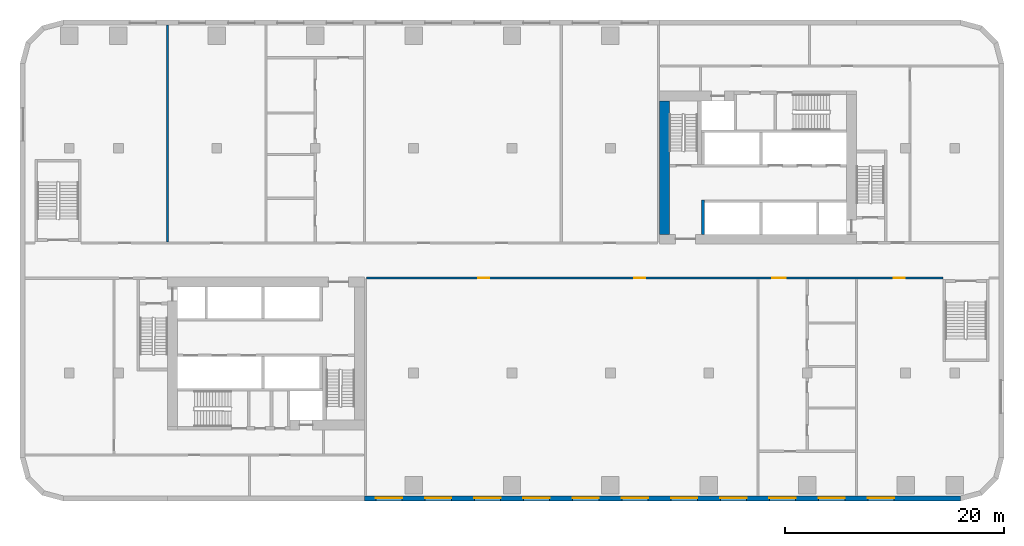
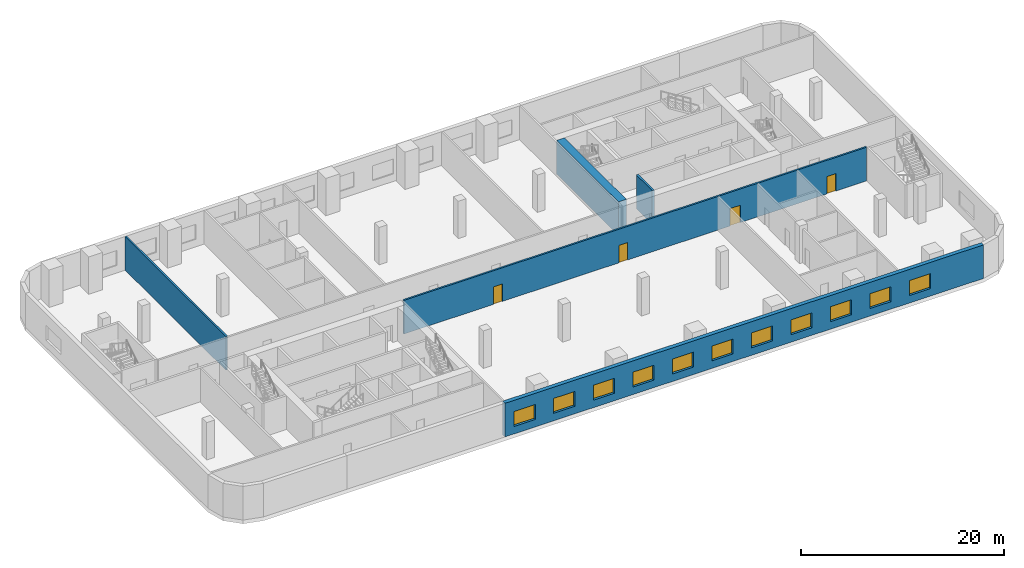
# One storey, part 4 of 15: 11 windows, 5 walls, 4 doors, 15 openings.
"""IFC4 building model written with IfcOpenShell, lengths in metres."""

from ifc_helpers import new_model, si_unit, direction, frame, frame_2d, origin, place, context, subcontext, project, spatial, rectangle, extrude, material, layer, layer_set, type_object, element, fill, save


model = new_model("IFC4")

# Units and contexts
model_context = context("Model", 3, precision=1e-05, world=origin(), true_north=direction((0.0, 1.0)))
body_context = subcontext(model_context, "Body", "Model", "MODEL_VIEW")
ifc_project = project(units=[si_unit("LENGTHUNIT", "METRE"), si_unit("AREAUNIT", "SQUARE_METRE"), si_unit("VOLUMEUNIT", "CUBIC_METRE"), si_unit("PLANEANGLEUNIT", "RADIAN"), si_unit("MASSUNIT", "GRAM", prefix="KILO")], contexts=[model_context])

# Site, building, storey
site_placement = place(None, origin())
site = spatial("IfcSite", under=ifc_project, at=site_placement, CompositionType="ELEMENT")
building_placement = place(site_placement, origin())
building = spatial("IfcBuilding", under=site, at=building_placement, Name="Kajstack Hotel Tower", CompositionType="ELEMENT")
storey_placement = place(building_placement, frame((0.0, 0.0, 29.0)))
storey = spatial("IfcBuildingStorey", under=building, at=storey_placement, Name="L04", CompositionType="ELEMENT", Elevation=29.0)

# Wall
ifc_material_1 = material(Name="Concrete C60/75", Category="concrete")
ifc_layer_1 = layer(ifc_material_1, 0.89990234375)
ifc_layer_set_1 = layer_set([ifc_layer_1], Name="Core wall 900")
wall_type_1 = type_object("IfcWallType", Name="Core wall 900", PredefinedType="SHEAR", material=ifc_layer_set_1)
wall_1_placement = place(storey_placement, frame((13.949951171875, 2.39990234375, 0.0), z_axis=(0.0, 0.0, 1.0), x_axis=(0.0, 1.0, 0.0)))
element("IfcWall", 1, at=wall_1_placement, inside=storey, type_object=wall_type_1, Name="Core wall E RE", PredefinedType="SHEAR", context=body_context, shape_type="SweptSolid", body=[
    extrude(rectangle(XDim=12.2001953125, YDim=0.89990234375, at=frame_2d((6.10009765625, 0.0))), origin(), (0.0, 0.0, 1.0), 4.050048828125),
])

# Wall, openings, windows
ifc_material_2 = material(Name="Terracotta-faced brick masonry", Category="masonry")
ifc_layer_2 = layer(ifc_material_2, 0.449951171875)
ifc_layer_set_2 = layer_set([ifc_layer_2], Name="EW-TERRA")
wall_type_2 = type_object("IfcWallType", Name="EW-TERRA", PredefinedType="SOLIDWALL", material=ifc_layer_set_2)
wall_2_placement = place(storey_placement, frame((-13.5, -21.77490234375, 0.0), z_axis=(0.0, 0.0, 1.0), x_axis=(1.0, 0.0, 0.0)))
wall_2 = element("IfcWall", 2, at=wall_2_placement, inside=storey, type_object=wall_type_2, Name="E-wall-L04-03-02", PredefinedType="SOLIDWALL", context=body_context, shape_type="SweptSolid", body=[
    extrude(rectangle(XDim=54.5, YDim=0.449951171875, at=frame_2d((27.25, 0.0))), origin(), (0.0, 0.0, 1.0), 4.050048828125),
])
opening_1_placement = place(wall_2_placement, frame((1.050048828125, 0.0, 0.89990234375)))
opening_1 = element("IfcOpeningElement", 3, at=opening_1_placement, cuts=wall_2, Name="Opening W4", PredefinedType="OPENING", context=body_context, shape_type="SweptSolid", body=[
    extrude(rectangle(XDim=2.39990234375, YDim=1.800048828125, at=frame_2d((1.199951171875, 0.89990234375))), frame((0.0, 0.23486328125, 0.0), z_axis=(0.0, -1.0, 0.0), x_axis=(1.0, 0.0, 0.0)), (0.0, 0.0, 1.0), 0.469970703125),
])
opening_2_placement = place(wall_2_placement, frame((5.550048828125, 0.0, 0.89990234375)))
opening_2 = element("IfcOpeningElement", 4, at=opening_2_placement, cuts=wall_2, Name="Opening W4", PredefinedType="OPENING", context=body_context, shape_type="SweptSolid", body=[
    extrude(rectangle(XDim=2.39990234375, YDim=1.800048828125, at=frame_2d((1.199951171875, 0.89990234375))), frame((0.0, 0.23486328125, 0.0), z_axis=(0.0, -1.0, 0.0), x_axis=(1.0, 0.0, 0.0)), (0.0, 0.0, 1.0), 0.469970703125),
])
opening_3_placement = place(wall_2_placement, frame((10.050048828125, 0.0, 0.89990234375)))
opening_3 = element("IfcOpeningElement", 5, at=opening_3_placement, cuts=wall_2, Name="Opening W4", PredefinedType="OPENING", context=body_context, shape_type="SweptSolid", body=[
    extrude(rectangle(XDim=2.39990234375, YDim=1.800048828125, at=frame_2d((1.199951171875, 0.89990234375))), frame((0.0, 0.23486328125, 0.0), z_axis=(0.0, -1.0, 0.0), x_axis=(1.0, 0.0, 0.0)), (0.0, 0.0, 1.0), 0.469970703125),
])
opening_4_placement = place(wall_2_placement, frame((14.550048828125, 0.0, 0.89990234375)))
opening_4 = element("IfcOpeningElement", 6, at=opening_4_placement, cuts=wall_2, Name="Opening W4", PredefinedType="OPENING", context=body_context, shape_type="SweptSolid", body=[
    extrude(rectangle(XDim=2.39990234375, YDim=1.800048828125, at=frame_2d((1.199951171875, 0.89990234375))), frame((0.0, 0.23486328125, 0.0), z_axis=(0.0, -1.0, 0.0), x_axis=(1.0, 0.0, 0.0)), (0.0, 0.0, 1.0), 0.469970703125),
])
opening_5_placement = place(wall_2_placement, frame((19.050048828125, 0.0, 0.89990234375)))
opening_5 = element("IfcOpeningElement", 7, at=opening_5_placement, cuts=wall_2, Name="Opening W4", PredefinedType="OPENING", context=body_context, shape_type="SweptSolid", body=[
    extrude(rectangle(XDim=2.39990234375, YDim=1.800048828125, at=frame_2d((1.199951171875, 0.89990234375))), frame((0.0, 0.23486328125, 0.0), z_axis=(0.0, -1.0, 0.0), x_axis=(1.0, 0.0, 0.0)), (0.0, 0.0, 1.0), 0.469970703125),
])
opening_6_placement = place(wall_2_placement, frame((23.550048828125, 0.0, 0.89990234375)))
opening_6 = element("IfcOpeningElement", 8, at=opening_6_placement, cuts=wall_2, Name="Opening W4", PredefinedType="OPENING", context=body_context, shape_type="SweptSolid", body=[
    extrude(rectangle(XDim=2.39990234375, YDim=1.800048828125, at=frame_2d((1.199951171875, 0.89990234375))), frame((0.0, 0.23486328125, 0.0), z_axis=(0.0, -1.0, 0.0), x_axis=(1.0, 0.0, 0.0)), (0.0, 0.0, 1.0), 0.469970703125),
])
opening_7_placement = place(wall_2_placement, frame((28.050048828125, 0.0, 0.89990234375)))
opening_7 = element("IfcOpeningElement", 9, at=opening_7_placement, cuts=wall_2, Name="Opening W4", PredefinedType="OPENING", context=body_context, shape_type="SweptSolid", body=[
    extrude(rectangle(XDim=2.39990234375, YDim=1.800048828125, at=frame_2d((1.199951171875, 0.89990234375))), frame((0.0, 0.23486328125, 0.0), z_axis=(0.0, -1.0, 0.0), x_axis=(1.0, 0.0, 0.0)), (0.0, 0.0, 1.0), 0.469970703125),
])
opening_8_placement = place(wall_2_placement, frame((32.550048828125, 0.0, 0.89990234375)))
opening_8 = element("IfcOpeningElement", 10, at=opening_8_placement, cuts=wall_2, Name="Opening W4", PredefinedType="OPENING", context=body_context, shape_type="SweptSolid", body=[
    extrude(rectangle(XDim=2.39990234375, YDim=1.800048828125, at=frame_2d((1.199951171875, 0.89990234375))), frame((0.0, 0.23486328125, 0.0), z_axis=(0.0, -1.0, 0.0), x_axis=(1.0, 0.0, 0.0)), (0.0, 0.0, 1.0), 0.469970703125),
])
opening_9_placement = place(wall_2_placement, frame((37.050048828125, 0.0, 0.89990234375)))
opening_9 = element("IfcOpeningElement", 11, at=opening_9_placement, cuts=wall_2, Name="Opening W4", PredefinedType="OPENING", context=body_context, shape_type="SweptSolid", body=[
    extrude(rectangle(XDim=2.39990234375, YDim=1.800048828125, at=frame_2d((1.199951171875, 0.89990234375))), frame((0.0, 0.23486328125, 0.0), z_axis=(0.0, -1.0, 0.0), x_axis=(1.0, 0.0, 0.0)), (0.0, 0.0, 1.0), 0.469970703125),
])
opening_10_placement = place(wall_2_placement, frame((41.550048828125, 0.0, 0.89990234375)))
opening_10 = element("IfcOpeningElement", 12, at=opening_10_placement, cuts=wall_2, Name="Opening W4", PredefinedType="OPENING", context=body_context, shape_type="SweptSolid", body=[
    extrude(rectangle(XDim=2.39990234375, YDim=1.800048828125, at=frame_2d((1.199951171875, 0.89990234375))), frame((0.0, 0.23486328125, 0.0), z_axis=(0.0, -1.0, 0.0), x_axis=(1.0, 0.0, 0.0)), (0.0, 0.0, 1.0), 0.469970703125),
])
opening_11_placement = place(wall_2_placement, frame((46.050048828125, 0.0, 0.89990234375)))
opening_11 = element("IfcOpeningElement", 13, at=opening_11_placement, cuts=wall_2, Name="Opening W4", PredefinedType="OPENING", context=body_context, shape_type="SweptSolid", body=[
    extrude(rectangle(XDim=2.39990234375, YDim=1.800048828125, at=frame_2d((1.199951171875, 0.89990234375))), frame((0.0, 0.23486328125, 0.0), z_axis=(0.0, -1.0, 0.0), x_axis=(1.0, 0.0, 0.0)), (0.0, 0.0, 1.0), 0.469970703125),
])
ifc_material_3 = material(Name="Timber-aluminium window, triple glazed", Category="wood")
window_type = type_object("IfcWindowType", Name="WP1", PartitioningType="SINGLE_PANEL", PredefinedType="WINDOW", material=ifc_material_3)
window_1_placement = place(opening_1_placement, origin())
window_1 = element("IfcWindow", 14, at=window_1_placement, inside=storey, type_object=window_type, Name="Window W4 L04-03", OverallHeight=1.800048828125, OverallWidth=2.39990234375, PartitioningType="SINGLE_PANEL", PredefinedType="WINDOW", context=body_context, shape_type="SweptSolid", body=[
    extrude(rectangle(XDim=2.39990234375, YDim=1.800048828125, at=frame_2d((1.199951171875, 0.89990234375))), frame((0.0, 0.090087890625, 0.0), z_axis=(0.0, -1.0, 0.0), x_axis=(1.0, 0.0, 0.0)), (0.0, 0.0, 1.0), 0.06005859375),
])
fill(opening_1, window_1)
window_2_placement = place(opening_2_placement, origin())
window_2 = element("IfcWindow", 15, at=window_2_placement, inside=storey, type_object=window_type, Name="Window W4 L04-03", OverallHeight=1.800048828125, OverallWidth=2.39990234375, PartitioningType="SINGLE_PANEL", PredefinedType="WINDOW", context=body_context, shape_type="SweptSolid", body=[
    extrude(rectangle(XDim=2.39990234375, YDim=1.800048828125, at=frame_2d((1.199951171875, 0.89990234375))), frame((0.0, 0.090087890625, 0.0), z_axis=(0.0, -1.0, 0.0), x_axis=(1.0, 0.0, 0.0)), (0.0, 0.0, 1.0), 0.06005859375),
])
fill(opening_2, window_2)
window_3_placement = place(opening_3_placement, origin())
window_3 = element("IfcWindow", 16, at=window_3_placement, inside=storey, type_object=window_type, Name="Window W4 L04-03", OverallHeight=1.800048828125, OverallWidth=2.39990234375, PartitioningType="SINGLE_PANEL", PredefinedType="WINDOW", context=body_context, shape_type="SweptSolid", body=[
    extrude(rectangle(XDim=2.39990234375, YDim=1.800048828125, at=frame_2d((1.199951171875, 0.89990234375))), frame((0.0, 0.090087890625, 0.0), z_axis=(0.0, -1.0, 0.0), x_axis=(1.0, 0.0, 0.0)), (0.0, 0.0, 1.0), 0.06005859375),
])
fill(opening_3, window_3)
window_4_placement = place(opening_4_placement, origin())
window_4 = element("IfcWindow", 17, at=window_4_placement, inside=storey, type_object=window_type, Name="Window W4 L04-03", OverallHeight=1.800048828125, OverallWidth=2.39990234375, PartitioningType="SINGLE_PANEL", PredefinedType="WINDOW", context=body_context, shape_type="SweptSolid", body=[
    extrude(rectangle(XDim=2.39990234375, YDim=1.800048828125, at=frame_2d((1.199951171875, 0.89990234375))), frame((0.0, 0.090087890625, 0.0), z_axis=(0.0, -1.0, 0.0), x_axis=(1.0, 0.0, 0.0)), (0.0, 0.0, 1.0), 0.06005859375),
])
fill(opening_4, window_4)
window_5_placement = place(opening_5_placement, origin())
window_5 = element("IfcWindow", 18, at=window_5_placement, inside=storey, type_object=window_type, Name="Window W4 L04-03", OverallHeight=1.800048828125, OverallWidth=2.39990234375, PartitioningType="SINGLE_PANEL", PredefinedType="WINDOW", context=body_context, shape_type="SweptSolid", body=[
    extrude(rectangle(XDim=2.39990234375, YDim=1.800048828125, at=frame_2d((1.199951171875, 0.89990234375))), frame((0.0, 0.090087890625, 0.0), z_axis=(0.0, -1.0, 0.0), x_axis=(1.0, 0.0, 0.0)), (0.0, 0.0, 1.0), 0.06005859375),
])
fill(opening_5, window_5)
window_6_placement = place(opening_6_placement, origin())
window_6 = element("IfcWindow", 19, at=window_6_placement, inside=storey, type_object=window_type, Name="Window W4 L04-03", OverallHeight=1.800048828125, OverallWidth=2.39990234375, PartitioningType="SINGLE_PANEL", PredefinedType="WINDOW", context=body_context, shape_type="SweptSolid", body=[
    extrude(rectangle(XDim=2.39990234375, YDim=1.800048828125, at=frame_2d((1.199951171875, 0.89990234375))), frame((0.0, 0.090087890625, 0.0), z_axis=(0.0, -1.0, 0.0), x_axis=(1.0, 0.0, 0.0)), (0.0, 0.0, 1.0), 0.06005859375),
])
fill(opening_6, window_6)
window_7_placement = place(opening_7_placement, origin())
window_7 = element("IfcWindow", 20, at=window_7_placement, inside=storey, type_object=window_type, Name="Window W4 L04-03", OverallHeight=1.800048828125, OverallWidth=2.39990234375, PartitioningType="SINGLE_PANEL", PredefinedType="WINDOW", context=body_context, shape_type="SweptSolid", body=[
    extrude(rectangle(XDim=2.39990234375, YDim=1.800048828125, at=frame_2d((1.199951171875, 0.89990234375))), frame((0.0, 0.090087890625, 0.0), z_axis=(0.0, -1.0, 0.0), x_axis=(1.0, 0.0, 0.0)), (0.0, 0.0, 1.0), 0.06005859375),
])
fill(opening_7, window_7)
window_8_placement = place(opening_8_placement, origin())
window_8 = element("IfcWindow", 21, at=window_8_placement, inside=storey, type_object=window_type, Name="Window W4 L04-03", OverallHeight=1.800048828125, OverallWidth=2.39990234375, PartitioningType="SINGLE_PANEL", PredefinedType="WINDOW", context=body_context, shape_type="SweptSolid", body=[
    extrude(rectangle(XDim=2.39990234375, YDim=1.800048828125, at=frame_2d((1.199951171875, 0.89990234375))), frame((0.0, 0.090087890625, 0.0), z_axis=(0.0, -1.0, 0.0), x_axis=(1.0, 0.0, 0.0)), (0.0, 0.0, 1.0), 0.06005859375),
])
fill(opening_8, window_8)
window_9_placement = place(opening_9_placement, origin())
window_9 = element("IfcWindow", 22, at=window_9_placement, inside=storey, type_object=window_type, Name="Window W4 L04-03", OverallHeight=1.800048828125, OverallWidth=2.39990234375, PartitioningType="SINGLE_PANEL", PredefinedType="WINDOW", context=body_context, shape_type="SweptSolid", body=[
    extrude(rectangle(XDim=2.39990234375, YDim=1.800048828125, at=frame_2d((1.199951171875, 0.89990234375))), frame((0.0, 0.090087890625, 0.0), z_axis=(0.0, -1.0, 0.0), x_axis=(1.0, 0.0, 0.0)), (0.0, 0.0, 1.0), 0.06005859375),
])
fill(opening_9, window_9)
window_10_placement = place(opening_10_placement, origin())
window_10 = element("IfcWindow", 23, at=window_10_placement, inside=storey, type_object=window_type, Name="Window W4 L04-03", OverallHeight=1.800048828125, OverallWidth=2.39990234375, PartitioningType="SINGLE_PANEL", PredefinedType="WINDOW", context=body_context, shape_type="SweptSolid", body=[
    extrude(rectangle(XDim=2.39990234375, YDim=1.800048828125, at=frame_2d((1.199951171875, 0.89990234375))), frame((0.0, 0.090087890625, 0.0), z_axis=(0.0, -1.0, 0.0), x_axis=(1.0, 0.0, 0.0)), (0.0, 0.0, 1.0), 0.06005859375),
])
fill(opening_10, window_10)
window_11_placement = place(opening_11_placement, origin())
window_11 = element("IfcWindow", 24, at=window_11_placement, inside=storey, type_object=window_type, Name="Window W4 L04-03", OverallHeight=1.800048828125, OverallWidth=2.39990234375, PartitioningType="SINGLE_PANEL", PredefinedType="WINDOW", context=body_context, shape_type="SweptSolid", body=[
    extrude(rectangle(XDim=2.39990234375, YDim=1.800048828125, at=frame_2d((1.199951171875, 0.89990234375))), frame((0.0, 0.090087890625, 0.0), z_axis=(0.0, -1.0, 0.0), x_axis=(1.0, 0.0, 0.0)), (0.0, 0.0, 1.0), 0.06005859375),
])
fill(opening_11, window_11)

# Wall
ifc_material_4 = material(Name="Gypsum board on steel studs, mineral wool", Category="steel")
ifc_layer_3 = layer(ifc_material_4, 0.199951171875)
ifc_layer_set_3 = layer_set([ifc_layer_3], Name="Public partition 200")
wall_type_3 = type_object("IfcWallType", Name="Public partition 200", PredefinedType="PARTITIONING", material=ifc_layer_set_3)
wall_3_placement = place(storey_placement, frame((-31.5, 1.699951171875, 0.0), z_axis=(0.0, 0.0, 1.0), x_axis=(0.0, 1.0, 0.0)))
element("IfcWall", 25, at=wall_3_placement, inside=storey, type_object=wall_type_3, Name="Partition PX3", PredefinedType="PARTITIONING", context=body_context, shape_type="SweptSolid", body=[
    extrude(rectangle(XDim=19.85009765625, YDim=0.199951171875, at=frame_2d((9.925048828125, 0.0))), origin(), (0.0, 0.0, 1.0), 4.050048828125),
])

# Wall, openings, doors
wall_4_placement = place(storey_placement, frame((-13.300048828125, -1.60009765625, 0.0), z_axis=(0.0, 0.0, 1.0), x_axis=(1.0, 0.0, 0.0)))
wall_4 = element("IfcWall", 26, at=wall_4_placement, inside=storey, type_object=wall_type_3, Name="Partition SFW", PredefinedType="PARTITIONING", context=body_context, shape_type="SweptSolid", body=[
    extrude(rectangle(XDim=52.699951171875, YDim=0.199951171875, at=frame_2d((26.35009765625, 0.0))), origin(), (0.0, 0.0, 1.0), 4.050048828125),
])
opening_12_placement = place(wall_4_placement, frame((10.2099609375, 0.0, 0.0)))
opening_12 = element("IfcOpeningElement", 27, at=opening_12_placement, cuts=wall_4, Name="Opening 04P12", PredefinedType="OPENING", context=body_context, shape_type="SweptSolid", body=[
    extrude(rectangle(XDim=1.0, YDim=2.10009765625, at=frame_2d((0.5, 1.050048828125))), frame((0.0, 0.10986328125, 0.0), z_axis=(0.0, -1.0, 0.0), x_axis=(1.0, 0.0, 0.0)), (0.0, 0.0, 1.0), 0.219970703125),
])
opening_13_placement = place(wall_4_placement, frame((24.489990234375, 0.0, 0.0)))
opening_13 = element("IfcOpeningElement", 28, at=opening_13_placement, cuts=wall_4, Name="Opening 04P13", PredefinedType="OPENING", context=body_context, shape_type="SweptSolid", body=[
    extrude(rectangle(XDim=1.0, YDim=2.10009765625, at=frame_2d((0.5, 1.050048828125))), frame((0.0, 0.10986328125, 0.0), z_axis=(0.0, -1.0, 0.0), x_axis=(1.0, 0.0, 0.0)), (0.0, 0.0, 1.0), 0.219970703125),
])
opening_14_placement = place(wall_4_placement, frame((37.125, 0.0, 0.0)))
opening_14 = element("IfcOpeningElement", 29, at=opening_14_placement, cuts=wall_4, Name="Opening 04P14", PredefinedType="OPENING", context=body_context, shape_type="SweptSolid", body=[
    extrude(rectangle(XDim=1.199951171875, YDim=2.10009765625, at=frame_2d((0.60009765625, 1.050048828125))), frame((0.0, 0.10986328125, 0.0), z_axis=(0.0, -1.0, 0.0), x_axis=(1.0, 0.0, 0.0)), (0.0, 0.0, 1.0), 0.219970703125),
])
opening_15_placement = place(wall_4_placement, frame((48.199951171875, 0.0, 0.0)))
opening_15 = element("IfcOpeningElement", 30, at=opening_15_placement, cuts=wall_4, Name="Opening 04P20", PredefinedType="OPENING", context=body_context, shape_type="SweptSolid", body=[
    extrude(rectangle(XDim=1.0, YDim=2.10009765625, at=frame_2d((0.5, 1.050048828125))), frame((0.0, 0.10986328125, 0.0), z_axis=(0.0, -1.0, 0.0), x_axis=(1.0, 0.0, 0.0)), (0.0, 0.0, 1.0), 0.219970703125),
])
ifc_material_5 = material(Name="Timber leaf, fire-rated", Category="wood")
door_type_1 = type_object("IfcDoorType", Name="Public corridor door 1200", OperationType="SINGLE_SWING_LEFT", PredefinedType="DOOR", material=ifc_material_5)
door_1_placement = place(opening_14_placement, origin())
door_1 = element("IfcDoor", 31, at=door_1_placement, inside=storey, type_object=door_type_1, Name="Door 04P14", OperationType="SINGLE_SWING_RIGHT", OverallHeight=2.10009765625, OverallWidth=1.199951171875, PredefinedType="DOOR", context=body_context, shape_type="SweptSolid", body=[
    extrude(rectangle(XDim=1.199951171875, YDim=2.10009765625, at=frame_2d((0.60009765625, 1.050048828125))), frame((0.0, 0.02490234375, 0.0), z_axis=(0.0, -1.0, 0.0), x_axis=(1.0, 0.0, 0.0)), (0.0, 0.0, 1.0), 0.050048828125),
])
fill(opening_14, door_1)
ifc_material_6 = material(Name="Timber leaf", Category="wood")
door_type_2 = type_object("IfcDoorType", Name="Public room door 1000", OperationType="SINGLE_SWING_LEFT", PredefinedType="DOOR", material=ifc_material_6)
door_2_placement = place(opening_12_placement, origin())
door_2 = element("IfcDoor", 32, at=door_2_placement, inside=storey, type_object=door_type_2, Name="Door 04P12", OperationType="SINGLE_SWING_RIGHT", OverallHeight=2.10009765625, OverallWidth=1.0, PredefinedType="DOOR", context=body_context, shape_type="SweptSolid", body=[
    extrude(rectangle(XDim=1.0, YDim=2.10009765625, at=frame_2d((0.5, 1.050048828125))), frame((0.0, 0.02490234375, 0.0), z_axis=(0.0, -1.0, 0.0), x_axis=(1.0, 0.0, 0.0)), (0.0, 0.0, 1.0), 0.050048828125),
])
fill(opening_12, door_2)
door_3_placement = place(opening_13_placement, origin())
door_3 = element("IfcDoor", 33, at=door_3_placement, inside=storey, type_object=door_type_2, Name="Door 04P13", OperationType="SINGLE_SWING_RIGHT", OverallHeight=2.10009765625, OverallWidth=1.0, PredefinedType="DOOR", context=body_context, shape_type="SweptSolid", body=[
    extrude(rectangle(XDim=1.0, YDim=2.10009765625, at=frame_2d((0.5, 1.050048828125))), frame((0.0, 0.02490234375, 0.0), z_axis=(0.0, -1.0, 0.0), x_axis=(1.0, 0.0, 0.0)), (0.0, 0.0, 1.0), 0.050048828125),
])
fill(opening_13, door_3)
door_4_placement = place(opening_15_placement, origin())
door_4 = element("IfcDoor", 34, at=door_4_placement, inside=storey, type_object=door_type_2, Name="Door 04P20", OperationType="SINGLE_SWING_RIGHT", OverallHeight=2.10009765625, OverallWidth=1.0, PredefinedType="DOOR", context=body_context, shape_type="SweptSolid", body=[
    extrude(rectangle(XDim=1.0, YDim=2.10009765625, at=frame_2d((0.5, 1.050048828125))), frame((0.0, 0.02490234375, 0.0), z_axis=(0.0, -1.0, 0.0), x_axis=(1.0, 0.0, 0.0)), (0.0, 0.0, 1.0), 0.050048828125),
])
fill(opening_15, door_4)

# Wall
ifc_material_7 = material(Name="Concrete C50/60", Category="concrete")
ifc_layer_4 = layer(ifc_material_7, 0.25)
ifc_layer_set_4 = layer_set([ifc_layer_4], Name="Shaft wall 250")
wall_type_4 = type_object("IfcWallType", Name="Shaft wall 250", PredefinedType="SHEAR", material=ifc_layer_set_4)
wall_5_placement = place(storey_placement, frame((17.47509765625, 2.39990234375, 0.0), z_axis=(0.0, 0.0, 1.0), x_axis=(0.0, 1.0, 0.0)))
element("IfcWall", 35, at=wall_5_placement, inside=storey, type_object=wall_type_4, Name="Core wall E AE", PredefinedType="SHEAR", context=body_context, shape_type="SweptSolid", body=[
    extrude(rectangle(XDim=3.150146484375, YDim=0.25, at=frame_2d((1.5751953125, 0.0))), origin(), (0.0, 0.0, 1.0), 4.050048828125),
])

save(model, "model.ifc")
